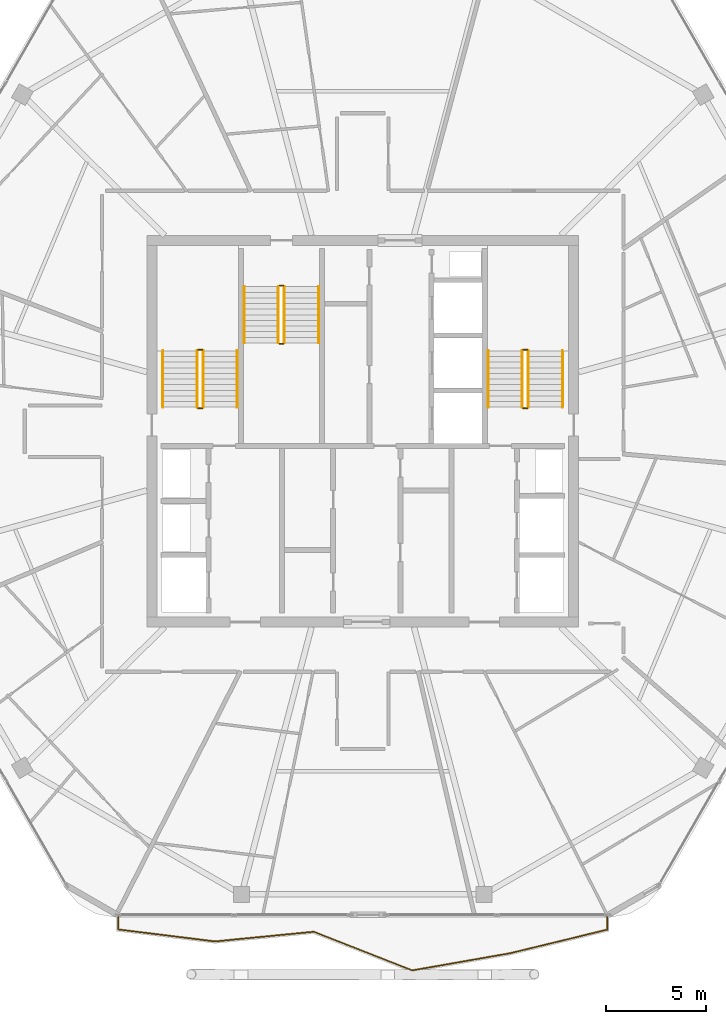
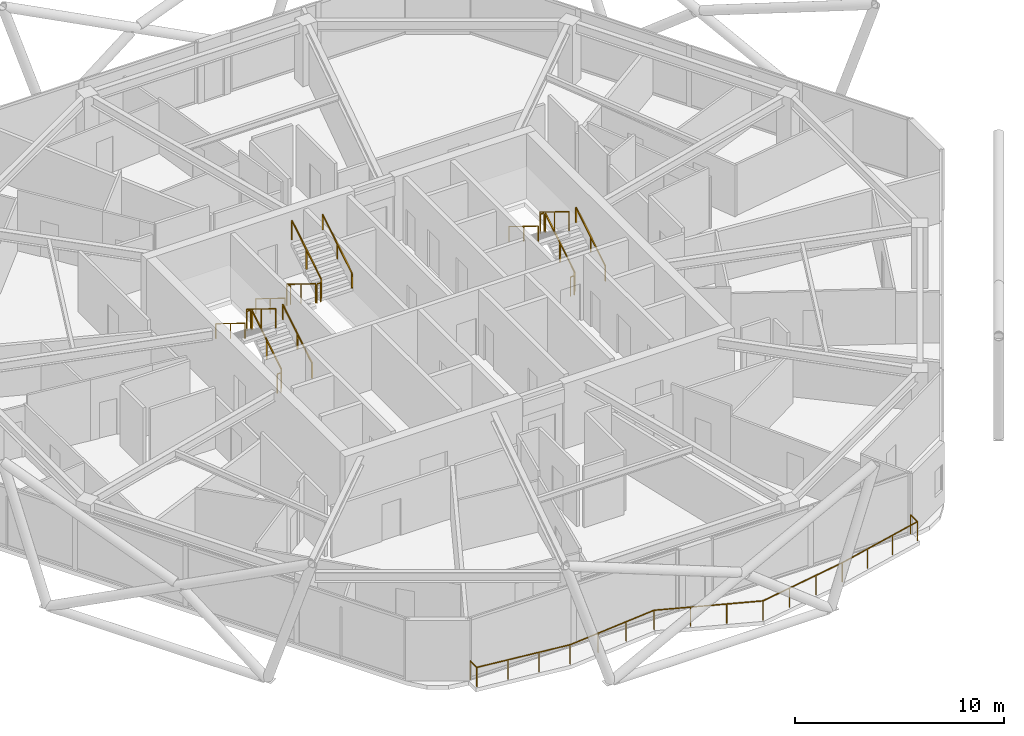
# One storey, part 22 of 23: 19 railings.
"""IFC4 building model written with IfcOpenShell, lengths in metres."""

from ifc_helpers import new_model, si_unit, direction, frame, origin, origin_2d, place, context, subcontext, project, spatial, rectangle, extrude, material, type_object, element, save


model = new_model("IFC4")

# Units and contexts
model_context = context("Model", 3, precision=1e-05, world=origin(), true_north=direction((0.0, 1.0)))
body_context = subcontext(model_context, "Body", "Model", "MODEL_VIEW")
ifc_project = project(units=[si_unit("LENGTHUNIT", "METRE"), si_unit("AREAUNIT", "SQUARE_METRE"), si_unit("VOLUMEUNIT", "CUBIC_METRE"), si_unit("PLANEANGLEUNIT", "RADIAN"), si_unit("MASSUNIT", "GRAM", prefix="KILO")], contexts=[model_context])

# Site, building, storey
site_placement = place(None, origin())
site = spatial("IfcSite", under=ifc_project, at=site_placement, CompositionType="ELEMENT")
building_placement = place(site_placement, origin())
building = spatial("IfcBuilding", under=site, at=building_placement, Name="Zuhravey Tower", CompositionType="ELEMENT")
storey_placement = place(building_placement, frame((0.0, 0.0, 323.39990234375)))
storey = spatial("IfcBuildingStorey", under=building, at=storey_placement, Name="L82", CompositionType="ELEMENT", Elevation=323.39990234375)

# Railings
ifc_material_1 = material(Name="Stainless steel 316 and laminated glass", Category="steel")
railing_type_1 = type_object("IfcRailingType", Name="Balcony & Terrace Guardrail 1150", PredefinedType="BALUSTRADE", material=ifc_material_1)
railing_1_placement = place(storey_placement, frame((48.168212890625, 7.8408203125, 0.0)))
element("IfcRailing", 1, at=railing_1_placement, inside=storey, type_object=railing_type_1, Name="L82 Face 5 Wave Balcony Guardrail GR1", PredefinedType="BALUSTRADE", context=body_context, shape_type="SweptSolid", body=[
    extrude(rectangle(XDim=0.048095703125, YDim=0.048095703125, at=origin_2d()), frame((0.0, -0.001953125, 1.1259765625), z_axis=(0.0, -1.0, 0.0), x_axis=(1.0, 0.0, 0.0)), (0.0, 0.0, 1.0), 0.657470703125),
    extrude(rectangle(XDim=0.048095703125, YDim=0.048095703125, at=origin_2d()), frame((-0.001953125, -0.661865234375, 1.1259765625), z_axis=(-0.971781871479, -0.235881313937, 0.0), x_axis=(0.235881313937, -0.971781871479, 0.0)), (0.0, 0.0, 1.0), 4.964111328125),
    extrude(rectangle(XDim=0.048095703125, YDim=0.048095703125, at=origin_2d()), frame((-4.829833984375, -1.83349609375, 1.1259765625), z_axis=(-0.984881691672, -0.173228327384, 0.0), x_axis=(0.173228327384, -0.984881691672, 0.0)), (0.0, 0.0, 1.0), 4.947021484375),
    extrude(rectangle(XDim=0.048095703125, YDim=0.048095703125, at=origin_2d()), frame((-9.7060546875, -2.690185546875, 1.1259765625), z_axis=(-0.930791480784, 0.365550570098, 0.0), x_axis=(-0.365550570098, -0.930791480784, 0.0)), (0.0, 0.0, 1.0), 5.26416015625),
    extrude(rectangle(XDim=0.048095703125, YDim=0.048095703125, at=origin_2d()), frame((-14.609619140625, -0.765380859375, 1.1259765625), z_axis=(-0.995222693626, -0.09763088698, 0.0), x_axis=(0.09763088698, -0.995222693626, 0.0)), (0.0, 0.0, 1.0), 4.939697265625),
    extrude(rectangle(XDim=0.048095703125, YDim=0.048095703125, at=origin_2d()), frame((-19.52978515625, -1.24755859375, 1.1259765625), z_axis=(-0.992401407558, 0.123042457212, 0.0), x_axis=(-0.123042457212, -0.992401407558, 0.0)), (0.0, 0.0, 1.0), 4.84130859375),
    extrude(rectangle(XDim=0.048095703125, YDim=0.048095703125, at=origin_2d()), frame((-24.33642578125, -0.649658203125, 1.1259765625), z_axis=(0.0, 1.0, 0.0), x_axis=(-1.0, 0.0, 0.0)), (0.0, 0.0, 1.0), 0.647705078125),
    extrude(rectangle(XDim=0.0419921875, YDim=0.0419921875, at=origin_2d()), origin(), (0.0, 0.0, 1.0), 1.099853515625),
    extrude(rectangle(XDim=0.0419921875, YDim=0.0419921875, at=origin_2d()), frame((0.0, -0.661376953125, 0.0)), (0.0, 0.0, 1.0), 1.099853515625),
    extrude(rectangle(XDim=0.0419921875, YDim=0.0419921875, at=origin_2d()), frame((-1.609375, -1.052001953125, 0.0)), (0.0, 0.0, 1.0), 1.099853515625),
    extrude(rectangle(XDim=0.0419921875, YDim=0.0419921875, at=origin_2d()), frame((-3.218505859375, -1.442626953125, 0.0)), (0.0, 0.0, 1.0), 1.099853515625),
    extrude(rectangle(XDim=0.0419921875, YDim=0.0419921875, at=origin_2d()), frame((-4.827880859375, -1.833251953125, 0.0)), (0.0, 0.0, 1.0), 1.099853515625),
    extrude(rectangle(XDim=0.0419921875, YDim=0.0419921875, at=origin_2d()), frame((-6.453369140625, -2.119140625, 0.0)), (0.0, 0.0, 1.0), 1.099853515625),
    extrude(rectangle(XDim=0.0419921875, YDim=0.0419921875, at=origin_2d()), frame((-8.07861328125, -2.405029296875, 0.0)), (0.0, 0.0, 1.0), 1.099853515625),
    extrude(rectangle(XDim=0.0419921875, YDim=0.0419921875, at=origin_2d()), frame((-9.7041015625, -2.69091796875, 0.0)), (0.0, 0.0, 1.0), 1.099853515625),
    extrude(rectangle(XDim=0.0419921875, YDim=0.0419921875, at=origin_2d()), frame((-11.338623046875, -2.049072265625, 0.0)), (0.0, 0.0, 1.0), 1.099853515625),
    extrude(rectangle(XDim=0.0419921875, YDim=0.0419921875, at=origin_2d()), frame((-12.97314453125, -1.406982421875, 0.0)), (0.0, 0.0, 1.0), 1.099853515625),
    extrude(rectangle(XDim=0.0419921875, YDim=0.0419921875, at=origin_2d()), frame((-14.607666015625, -0.76513671875, 0.0)), (0.0, 0.0, 1.0), 1.099853515625),
    extrude(rectangle(XDim=0.0419921875, YDim=0.0419921875, at=origin_2d()), frame((-16.247802734375, -0.926025390625, 0.0)), (0.0, 0.0, 1.0), 1.099853515625),
    extrude(rectangle(XDim=0.0419921875, YDim=0.0419921875, at=origin_2d()), frame((-17.8876953125, -1.0869140625, 0.0)), (0.0, 0.0, 1.0), 1.099853515625),
    extrude(rectangle(XDim=0.0419921875, YDim=0.0419921875, at=origin_2d()), frame((-19.52783203125, -1.247802734375, 0.0)), (0.0, 0.0, 1.0), 1.099853515625),
    extrude(rectangle(XDim=0.0419921875, YDim=0.0419921875, at=origin_2d()), frame((-21.130615234375, -1.049072265625, 0.0)), (0.0, 0.0, 1.0), 1.099853515625),
    extrude(rectangle(XDim=0.0419921875, YDim=0.0419921875, at=origin_2d()), frame((-22.733642578125, -0.850341796875, 0.0)), (0.0, 0.0, 1.0), 1.099853515625),
    extrude(rectangle(XDim=0.0419921875, YDim=0.0419921875, at=origin_2d()), frame((-24.33642578125, -0.651611328125, 0.0)), (0.0, 0.0, 1.0), 1.099853515625),
    extrude(rectangle(XDim=0.0419921875, YDim=0.0419921875, at=origin_2d()), frame((-24.33642578125, 0.0, 0.0)), (0.0, 0.0, 1.0), 1.099853515625),
])
ifc_material_2 = material(Name="Brushed stainless steel", Category="steel")
railing_type_2 = type_object("IfcRailingType", Name="Stair Wall Handrail 900", PredefinedType="HANDRAIL", material=ifc_material_2)
railing_2_placement = place(storey_placement, frame((29.75, 33.199951171875, 0.1728515625)))
element("IfcRailing", 2, at=railing_2_placement, inside=storey, type_object=railing_type_2, Name="L82 ST1 stair handrail 1", PredefinedType="HANDRAIL", context=body_context, shape_type="SweptSolid", body=[
    extrude(rectangle(XDim=0.048095703125, YDim=0.048095703125, at=origin_2d()), frame((0.0, 0.001708984375, 0.876953125), z_axis=(0.0, 0.851089632645, 0.525020415988), x_axis=(-1.0, 0.0, 0.0)), (0.0, 0.0, 1.0), 3.285888671875),
    extrude(rectangle(XDim=0.0419921875, YDim=0.0419921875, at=origin_2d()), origin(), (0.0, 0.0, 1.0), 0.849853515625),
    extrude(rectangle(XDim=0.0419921875, YDim=0.0419921875, at=origin_2d()), frame((0.0, 1.39990234375, 0.86376953125)), (0.0, 0.0, 1.0), 0.849853515625),
    extrude(rectangle(XDim=0.0419921875, YDim=0.0419921875, at=origin_2d()), frame((0.0, 2.800048828125, 1.727294921875)), (0.0, 0.0, 1.0), 0.849853515625),
])
railing_3_placement = place(storey_placement, frame((26.050048828125, 36.0, 2.07275390625)))
element("IfcRailing", 3, at=railing_3_placement, inside=storey, type_object=railing_type_2, Name="L82 ST1 stair handrail 2", PredefinedType="HANDRAIL", context=body_context, shape_type="SweptSolid", body=[
    extrude(rectangle(XDim=0.048095703125, YDim=0.048095703125, at=origin_2d()), frame((0.0, -0.001708984375, 0.876953125), z_axis=(0.0, -0.851089632645, 0.525020415988), x_axis=(1.0, 0.0, 0.0)), (0.0, 0.0, 1.0), 3.285888671875),
    extrude(rectangle(XDim=0.0419921875, YDim=0.0419921875, at=origin_2d()), origin(), (0.0, 0.0, 1.0), 0.849853515625),
    extrude(rectangle(XDim=0.0419921875, YDim=0.0419921875, at=origin_2d()), frame((0.0, -1.39990234375, 0.86376953125)), (0.0, 0.0, 1.0), 0.849853515625),
    extrude(rectangle(XDim=0.0419921875, YDim=0.0419921875, at=origin_2d()), frame((0.0, -2.800048828125, 1.727294921875)), (0.0, 0.0, 1.0), 0.849853515625),
])
railing_4_placement = place(storey_placement, frame((45.949951171875, 33.199951171875, 0.1728515625)))
element("IfcRailing", 4, at=railing_4_placement, inside=storey, type_object=railing_type_2, Name="L82 ST2 stair handrail 1", PredefinedType="HANDRAIL", context=body_context, shape_type="SweptSolid", body=[
    extrude(rectangle(XDim=0.048095703125, YDim=0.048095703125, at=origin_2d()), frame((0.0, 0.001708984375, 0.876953125), z_axis=(0.0, 0.851089632645, 0.525020415988), x_axis=(-1.0, 0.0, 0.0)), (0.0, 0.0, 1.0), 3.285888671875),
    extrude(rectangle(XDim=0.0419921875, YDim=0.0419921875, at=origin_2d()), origin(), (0.0, 0.0, 1.0), 0.849853515625),
    extrude(rectangle(XDim=0.0419921875, YDim=0.0419921875, at=origin_2d()), frame((0.0, 1.39990234375, 0.86376953125)), (0.0, 0.0, 1.0), 0.849853515625),
    extrude(rectangle(XDim=0.0419921875, YDim=0.0419921875, at=origin_2d()), frame((0.0, 2.800048828125, 1.727294921875)), (0.0, 0.0, 1.0), 0.849853515625),
])
for number, where, name in (
    (5, (42.25, 36.0, 2.07275390625), "L82 ST2 stair handrail 2"),
    (6, (30.10009765625, 39.199951171875, 0.1728515625), "L82 ST3 stair handrail 1"),
):
    element("IfcRailing", number, at=place(storey_placement, frame(where)), inside=storey, type_object=railing_type_2, Name=name, PredefinedType="HANDRAIL", context=body_context, shape_type="SweptSolid", body=[
        extrude(rectangle(XDim=0.048095703125, YDim=0.048095703125, at=origin_2d()), frame((0.0, -0.001708984375, 0.876953125), z_axis=(0.0, -0.851089632645, 0.525020415988), x_axis=(1.0, 0.0, 0.0)), (0.0, 0.0, 1.0), 3.285888671875),
        extrude(rectangle(XDim=0.0419921875, YDim=0.0419921875, at=origin_2d()), origin(), (0.0, 0.0, 1.0), 0.849853515625),
        extrude(rectangle(XDim=0.0419921875, YDim=0.0419921875, at=origin_2d()), frame((0.0, -1.39990234375, 0.86376953125)), (0.0, 0.0, 1.0), 0.849853515625),
        extrude(rectangle(XDim=0.0419921875, YDim=0.0419921875, at=origin_2d()), frame((0.0, -2.800048828125, 1.727294921875)), (0.0, 0.0, 1.0), 0.849853515625),
    ])
railing_5_placement = place(storey_placement, frame((33.800048828125, 36.39990234375, 2.07275390625)))
element("IfcRailing", 7, at=railing_5_placement, inside=storey, type_object=railing_type_2, Name="L82 ST3 stair handrail 2", PredefinedType="HANDRAIL", context=body_context, shape_type="SweptSolid", body=[
    extrude(rectangle(XDim=0.048095703125, YDim=0.048095703125, at=origin_2d()), frame((0.0, 0.001708984375, 0.876953125), z_axis=(0.0, 0.851089632645, 0.525020415988), x_axis=(-1.0, 0.0, 0.0)), (0.0, 0.0, 1.0), 3.285888671875),
    extrude(rectangle(XDim=0.0419921875, YDim=0.0419921875, at=origin_2d()), origin(), (0.0, 0.0, 1.0), 0.849853515625),
    extrude(rectangle(XDim=0.0419921875, YDim=0.0419921875, at=origin_2d()), frame((0.0, 1.39990234375, 0.86376953125)), (0.0, 0.0, 1.0), 0.849853515625),
    extrude(rectangle(XDim=0.0419921875, YDim=0.0419921875, at=origin_2d()), frame((0.0, 2.800048828125, 1.727294921875)), (0.0, 0.0, 1.0), 0.849853515625),
])
ifc_material_3 = material(Name="Painted tubular steel", Category="steel")
railing_type_3 = type_object("IfcRailingType", Name="Stair Well Guardrail 1150", PredefinedType="GUARDRAIL", material=ifc_material_3)
railing_6_placement = place(storey_placement, frame((28.050048828125, 33.199951171875, 0.1728515625)))
element("IfcRailing", 8, at=railing_6_placement, inside=storey, type_object=railing_type_3, Name="L82 ST1 stair guard 1", PredefinedType="GUARDRAIL", context=body_context, shape_type="SweptSolid", body=[
    extrude(rectangle(XDim=0.048095703125, YDim=0.048095703125, at=origin_2d()), frame((0.0, 0.001708984375, 1.126953125), z_axis=(0.0, 0.851089632645, 0.525020415988), x_axis=(-1.0, 0.0, 0.0)), (0.0, 0.0, 1.0), 3.285888671875),
    extrude(rectangle(XDim=0.0419921875, YDim=0.0419921875, at=origin_2d()), origin(), (0.0, 0.0, 1.0), 1.099853515625),
    extrude(rectangle(XDim=0.0419921875, YDim=0.0419921875, at=origin_2d()), frame((0.0, 1.39990234375, 0.86376953125)), (0.0, 0.0, 1.0), 1.099853515625),
    extrude(rectangle(XDim=0.0419921875, YDim=0.0419921875, at=origin_2d()), frame((0.0, 2.800048828125, 1.727294921875)), (0.0, 0.0, 1.0), 1.099853515625),
])
railing_7_placement = place(storey_placement, frame((28.0, 36.050048828125, 1.900146484375)))
element("IfcRailing", 9, at=railing_7_placement, inside=storey, type_object=railing_type_3, Name="L82 ST1 stair guard 2", PredefinedType="GUARDRAIL", context=body_context, shape_type="SweptSolid", body=[
    extrude(rectangle(XDim=0.048095703125, YDim=0.048095703125, at=origin_2d()), frame((-0.001953125, 0.0, 1.1259765625), z_axis=(-1.0, 0.0, 0.0), x_axis=(0.0, -1.0, 0.0)), (0.0, 0.0, 1.0), 0.196044921875),
    extrude(rectangle(XDim=0.0419921875, YDim=0.0419921875, at=origin_2d()), origin(), (0.0, 0.0, 1.0), 1.099853515625),
    extrude(rectangle(XDim=0.0419921875, YDim=0.0419921875, at=origin_2d()), frame((-0.199951171875, 0.0, 0.0)), (0.0, 0.0, 1.0), 1.099853515625),
])
railing_8_placement = place(storey_placement, frame((27.75, 36.0, 2.07275390625)))
element("IfcRailing", 10, at=railing_8_placement, inside=storey, type_object=railing_type_3, Name="L82 ST1 stair guard 3", PredefinedType="GUARDRAIL", context=body_context, shape_type="SweptSolid", body=[
    extrude(rectangle(XDim=0.048095703125, YDim=0.048095703125, at=origin_2d()), frame((0.0, -0.001708984375, 1.126953125), z_axis=(0.0, -0.851089632645, 0.525020415988), x_axis=(1.0, 0.0, 0.0)), (0.0, 0.0, 1.0), 3.285888671875),
    extrude(rectangle(XDim=0.0419921875, YDim=0.0419921875, at=origin_2d()), origin(), (0.0, 0.0, 1.0), 1.099853515625),
    extrude(rectangle(XDim=0.0419921875, YDim=0.0419921875, at=origin_2d()), frame((0.0, -1.39990234375, 0.86376953125)), (0.0, 0.0, 1.0), 1.099853515625),
    extrude(rectangle(XDim=0.0419921875, YDim=0.0419921875, at=origin_2d()), frame((0.0, -2.800048828125, 1.727294921875)), (0.0, 0.0, 1.0), 1.099853515625),
])
railing_9_placement = place(storey_placement, frame((28.0, 33.14990234375, 0.0)))
element("IfcRailing", 11, at=railing_9_placement, inside=storey, type_object=railing_type_3, Name="L82 ST1 stair guard 4", PredefinedType="GUARDRAIL", context=body_context, shape_type="SweptSolid", body=[
    extrude(rectangle(XDim=0.048095703125, YDim=0.048095703125, at=origin_2d()), frame((-0.001953125, 0.0, 1.1259765625), z_axis=(-1.0, 0.0, 0.0), x_axis=(0.0, -1.0, 0.0)), (0.0, 0.0, 1.0), 0.196044921875),
    extrude(rectangle(XDim=0.0419921875, YDim=0.0419921875, at=origin_2d()), origin(), (0.0, 0.0, 1.0), 1.099853515625),
    extrude(rectangle(XDim=0.0419921875, YDim=0.0419921875, at=origin_2d()), frame((-0.199951171875, 0.0, 0.0)), (0.0, 0.0, 1.0), 1.099853515625),
])
railing_10_placement = place(storey_placement, frame((44.25, 33.199951171875, 0.1728515625)))
element("IfcRailing", 12, at=railing_10_placement, inside=storey, type_object=railing_type_3, Name="L82 ST2 stair guard 1", PredefinedType="GUARDRAIL", context=body_context, shape_type="SweptSolid", body=[
    extrude(rectangle(XDim=0.048095703125, YDim=0.048095703125, at=origin_2d()), frame((0.0, 0.001708984375, 1.126953125), z_axis=(0.0, 0.851089632645, 0.525020415988), x_axis=(-1.0, 0.0, 0.0)), (0.0, 0.0, 1.0), 3.285888671875),
    extrude(rectangle(XDim=0.0419921875, YDim=0.0419921875, at=origin_2d()), origin(), (0.0, 0.0, 1.0), 1.099853515625),
    extrude(rectangle(XDim=0.0419921875, YDim=0.0419921875, at=origin_2d()), frame((0.0, 1.39990234375, 0.86376953125)), (0.0, 0.0, 1.0), 1.099853515625),
    extrude(rectangle(XDim=0.0419921875, YDim=0.0419921875, at=origin_2d()), frame((0.0, 2.800048828125, 1.727294921875)), (0.0, 0.0, 1.0), 1.099853515625),
])
railing_11_placement = place(storey_placement, frame((44.199951171875, 36.050048828125, 1.900146484375)))
element("IfcRailing", 13, at=railing_11_placement, inside=storey, type_object=railing_type_3, Name="L82 ST2 stair guard 2", PredefinedType="GUARDRAIL", context=body_context, shape_type="SweptSolid", body=[
    extrude(rectangle(XDim=0.048095703125, YDim=0.048095703125, at=origin_2d()), frame((-0.001953125, 0.0, 1.1259765625), z_axis=(-1.0, 0.0, 0.0), x_axis=(0.0, -1.0, 0.0)), (0.0, 0.0, 1.0), 0.196044921875),
    extrude(rectangle(XDim=0.0419921875, YDim=0.0419921875, at=origin_2d()), origin(), (0.0, 0.0, 1.0), 1.099853515625),
    extrude(rectangle(XDim=0.0419921875, YDim=0.0419921875, at=origin_2d()), frame((-0.199951171875, 0.0, 0.0)), (0.0, 0.0, 1.0), 1.099853515625),
])
railing_12_placement = place(storey_placement, frame((43.949951171875, 36.0, 2.07275390625)))
element("IfcRailing", 14, at=railing_12_placement, inside=storey, type_object=railing_type_3, Name="L82 ST2 stair guard 3", PredefinedType="GUARDRAIL", context=body_context, shape_type="SweptSolid", body=[
    extrude(rectangle(XDim=0.048095703125, YDim=0.048095703125, at=origin_2d()), frame((0.0, -0.001708984375, 1.126953125), z_axis=(0.0, -0.851089632645, 0.525020415988), x_axis=(1.0, 0.0, 0.0)), (0.0, 0.0, 1.0), 3.285888671875),
    extrude(rectangle(XDim=0.0419921875, YDim=0.0419921875, at=origin_2d()), origin(), (0.0, 0.0, 1.0), 1.099853515625),
    extrude(rectangle(XDim=0.0419921875, YDim=0.0419921875, at=origin_2d()), frame((0.0, -1.39990234375, 0.86376953125)), (0.0, 0.0, 1.0), 1.099853515625),
    extrude(rectangle(XDim=0.0419921875, YDim=0.0419921875, at=origin_2d()), frame((0.0, -2.800048828125, 1.727294921875)), (0.0, 0.0, 1.0), 1.099853515625),
])
railing_13_placement = place(storey_placement, frame((44.199951171875, 33.14990234375, 0.0)))
element("IfcRailing", 15, at=railing_13_placement, inside=storey, type_object=railing_type_3, Name="L82 ST2 stair guard 4", PredefinedType="GUARDRAIL", context=body_context, shape_type="SweptSolid", body=[
    extrude(rectangle(XDim=0.048095703125, YDim=0.048095703125, at=origin_2d()), frame((-0.001953125, 0.0, 1.1259765625), z_axis=(-1.0, 0.0, 0.0), x_axis=(0.0, -1.0, 0.0)), (0.0, 0.0, 1.0), 0.196044921875),
    extrude(rectangle(XDim=0.0419921875, YDim=0.0419921875, at=origin_2d()), origin(), (0.0, 0.0, 1.0), 1.099853515625),
    extrude(rectangle(XDim=0.0419921875, YDim=0.0419921875, at=origin_2d()), frame((-0.199951171875, 0.0, 0.0)), (0.0, 0.0, 1.0), 1.099853515625),
])
railing_14_placement = place(storey_placement, frame((31.800048828125, 39.199951171875, 0.1728515625)))
element("IfcRailing", 16, at=railing_14_placement, inside=storey, type_object=railing_type_3, Name="L82 ST3 stair guard 1", PredefinedType="GUARDRAIL", context=body_context, shape_type="SweptSolid", body=[
    extrude(rectangle(XDim=0.048095703125, YDim=0.048095703125, at=origin_2d()), frame((0.0, -0.001708984375, 1.126953125), z_axis=(0.0, -0.851089632645, 0.525020415988), x_axis=(1.0, 0.0, 0.0)), (0.0, 0.0, 1.0), 3.285888671875),
    extrude(rectangle(XDim=0.0419921875, YDim=0.0419921875, at=origin_2d()), origin(), (0.0, 0.0, 1.0), 1.099853515625),
    extrude(rectangle(XDim=0.0419921875, YDim=0.0419921875, at=origin_2d()), frame((0.0, -1.39990234375, 0.86376953125)), (0.0, 0.0, 1.0), 1.099853515625),
    extrude(rectangle(XDim=0.0419921875, YDim=0.0419921875, at=origin_2d()), frame((0.0, -2.800048828125, 1.727294921875)), (0.0, 0.0, 1.0), 1.099853515625),
])
railing_15_placement = place(storey_placement, frame((31.85009765625, 36.35009765625, 1.900146484375)))
element("IfcRailing", 17, at=railing_15_placement, inside=storey, type_object=railing_type_3, Name="L82 ST3 stair guard 2", PredefinedType="GUARDRAIL", context=body_context, shape_type="SweptSolid", body=[
    extrude(rectangle(XDim=0.048095703125, YDim=0.048095703125, at=origin_2d()), frame((0.001953125, 0.0, 1.1259765625), z_axis=(1.0, 0.0, 0.0), x_axis=(0.0, 1.0, 0.0)), (0.0, 0.0, 1.0), 0.196044921875),
    extrude(rectangle(XDim=0.0419921875, YDim=0.0419921875, at=origin_2d()), origin(), (0.0, 0.0, 1.0), 1.099853515625),
    extrude(rectangle(XDim=0.0419921875, YDim=0.0419921875, at=origin_2d()), frame((0.199951171875, 0.0, 0.0)), (0.0, 0.0, 1.0), 1.099853515625),
])
railing_16_placement = place(storey_placement, frame((32.10009765625, 36.39990234375, 2.07275390625)))
element("IfcRailing", 18, at=railing_16_placement, inside=storey, type_object=railing_type_3, Name="L82 ST3 stair guard 3", PredefinedType="GUARDRAIL", context=body_context, shape_type="SweptSolid", body=[
    extrude(rectangle(XDim=0.048095703125, YDim=0.048095703125, at=origin_2d()), frame((0.0, 0.001708984375, 1.126953125), z_axis=(0.0, 0.851089632645, 0.525020415988), x_axis=(-1.0, 0.0, 0.0)), (0.0, 0.0, 1.0), 3.285888671875),
    extrude(rectangle(XDim=0.0419921875, YDim=0.0419921875, at=origin_2d()), origin(), (0.0, 0.0, 1.0), 1.099853515625),
    extrude(rectangle(XDim=0.0419921875, YDim=0.0419921875, at=origin_2d()), frame((0.0, 1.39990234375, 0.86376953125)), (0.0, 0.0, 1.0), 1.099853515625),
    extrude(rectangle(XDim=0.0419921875, YDim=0.0419921875, at=origin_2d()), frame((0.0, 2.800048828125, 1.727294921875)), (0.0, 0.0, 1.0), 1.099853515625),
])
railing_17_placement = place(storey_placement, frame((31.85009765625, 39.25, 0.0)))
element("IfcRailing", 19, at=railing_17_placement, inside=storey, type_object=railing_type_3, Name="L82 ST3 stair guard 4", PredefinedType="GUARDRAIL", context=body_context, shape_type="SweptSolid", body=[
    extrude(rectangle(XDim=0.048095703125, YDim=0.048095703125, at=origin_2d()), frame((0.001953125, 0.0, 1.1259765625), z_axis=(1.0, 0.0, 0.0), x_axis=(0.0, 1.0, 0.0)), (0.0, 0.0, 1.0), 0.196044921875),
    extrude(rectangle(XDim=0.0419921875, YDim=0.0419921875, at=origin_2d()), origin(), (0.0, 0.0, 1.0), 1.099853515625),
    extrude(rectangle(XDim=0.0419921875, YDim=0.0419921875, at=origin_2d()), frame((0.199951171875, 0.0, 0.0)), (0.0, 0.0, 1.0), 1.099853515625),
])

save(model, "model.ifc")
